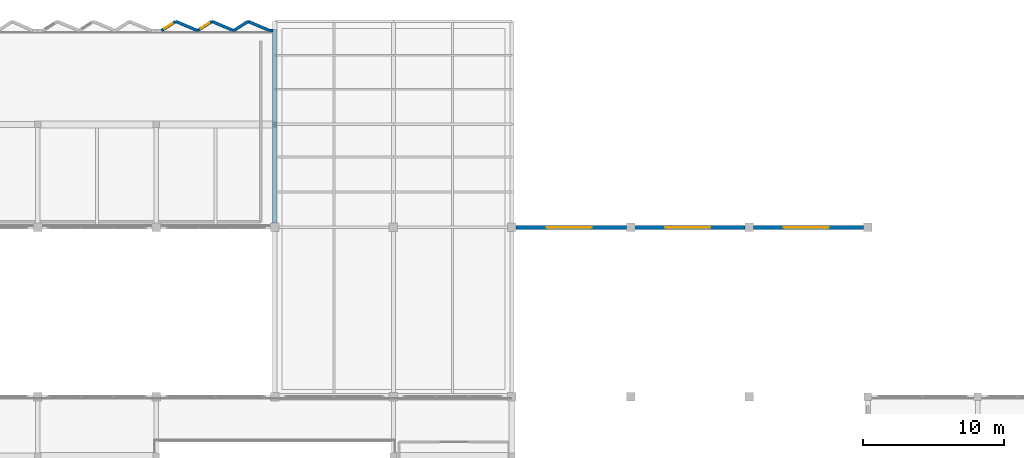
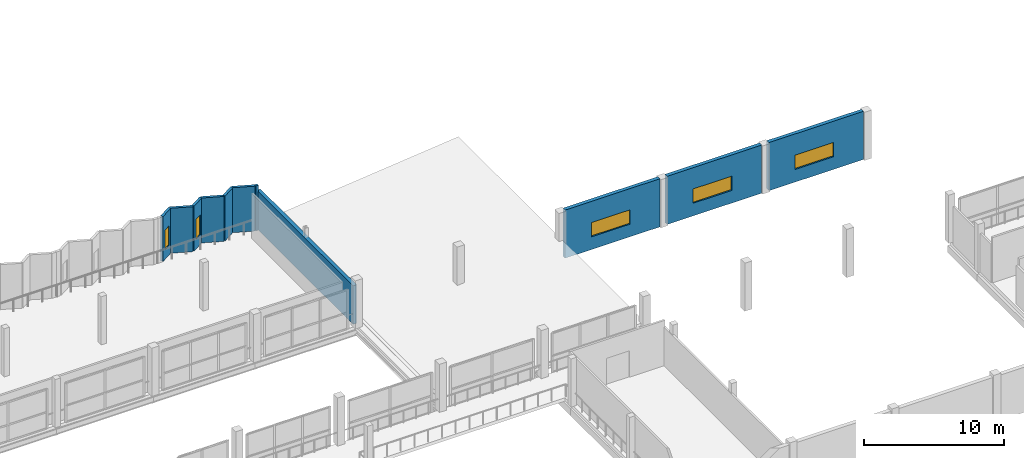
# One storey, part 43 of 53: 11 walls, 5 windows, 5 openings.
"""IFC4 building model written with IfcOpenShell, lengths in metres."""

from ifc_helpers import new_model, si_unit, direction, frame, frame_2d, origin, place, context, subcontext, project, spatial, rectangle, extrude, material, layer, layer_set, type_object, element, fill, save


model = new_model("IFC4")

# Units and contexts
model_context = context("Model", 3, precision=1e-05, world=origin(), true_north=direction((0.0, 1.0)))
body_context = subcontext(model_context, "Body", "Model", "MODEL_VIEW")
ifc_project = project(units=[si_unit("LENGTHUNIT", "METRE"), si_unit("AREAUNIT", "SQUARE_METRE"), si_unit("VOLUMEUNIT", "CUBIC_METRE"), si_unit("PLANEANGLEUNIT", "RADIAN"), si_unit("MASSUNIT", "GRAM", prefix="KILO")], contexts=[model_context])

# Site, building, storey
site_placement = place(None, origin())
site = spatial("IfcSite", under=ifc_project, at=site_placement, CompositionType="ELEMENT")
building_placement = place(site_placement, origin())
building = spatial("IfcBuilding", under=site, at=building_placement, Name="Vharandega Faculty of Natural Sciences", CompositionType="ELEMENT")
storey_placement = place(building_placement, frame((0.0, 0.0, 10.199951171875)))
storey = spatial("IfcBuildingStorey", under=building, at=storey_placement, Name="L02", CompositionType="ELEMENT", Elevation=10.199951171875)

# Wall
ifc_material_1 = material(Name="Precast concrete C40/50", Category="concrete")
ifc_layer_1 = layer(ifc_material_1, 0.2099609375, Name="Precast concrete C40/50")
ifc_layer_set_1 = layer_set([ifc_layer_1], Name="Precast concrete C40/50")
wall_type_1 = type_object("IfcWallType", Name="Commons Sawtooth Street Wall 210", PredefinedType="SOLIDWALL", material=ifc_layer_set_1)
wall_1_placement = place(storey_placement, frame((72.449951171875, 110.949951171875, 0.0), z_axis=(0.0, 0.0, 1.0), x_axis=(1.0, 0.0, 0.0)))
element("IfcWall", 1, at=wall_1_placement, inside=storey, type_object=wall_type_1, Name="Exterior Wall EW-V2SHL-L02-10R", PredefinedType="SOLIDWALL", context=body_context, shape_type="SweptSolid", body=[
    extrude(rectangle(XDim=0.205078125, YDim=0.2099609375, at=frame_2d((0.1025390625, 0.0))), origin(), (0.0, 0.0, 1.0), 3.920166015625),
])

# Wall, opening, window
wall_2_placement = place(storey_placement, frame((64.760009765625, 110.949951171875, 0.0), z_axis=(0.0, 0.0, 1.0), x_axis=(0.844199803058, 0.536028630315, 0.0)))
wall_2 = element("IfcWall", 2, at=wall_2_placement, inside=storey, type_object=wall_type_1, Name="Exterior Wall EW-V2SAW-L02-25G", PredefinedType="SOLIDWALL", context=body_context, shape_type="SweptSolid", body=[
    extrude(rectangle(XDim=1.212890625, YDim=0.2099609375, at=frame_2d((0.6064453125, 0.0))), origin(), (0.0, 0.0, 1.0), 3.920166015625),
])
opening_1_placement = place(wall_2_placement, frame((0.280029296875, 0.0, 0.85009765625)))
opening_1 = element("IfcOpeningElement", 3, at=opening_1_placement, cuts=wall_2, Name="Opening WN-07", PredefinedType="OPENING", context=body_context, shape_type="SweptSolid", body=[
    extrude(rectangle(XDim=0.64990234375, YDim=1.699951171875, at=frame_2d((0.324951171875, 0.85009765625))), frame((0.0, 0.114990234375, 0.0), z_axis=(0.0, -1.0, 0.0), x_axis=(1.0, 0.0, 0.0)), (0.0, 0.0, 1.0), 0.22998046875),
])
ifc_material_2 = material(Name="Double-glazed solar-control glass in thermally broken aluminium frame", Category="aluminium")
window_type_1 = type_object("IfcWindowType", Name="WIN-COM-065x170", PartitioningType="SINGLE_PANEL", PredefinedType="WINDOW", material=ifc_material_2)
window_1_placement = place(opening_1_placement, origin())
window_1 = element("IfcWindow", 4, at=window_1_placement, inside=storey, type_object=window_type_1, Name="Window WIN-L02-0181", OverallHeight=1.699951171875, OverallWidth=0.64990234375, PartitioningType="SINGLE_PANEL", PredefinedType="WINDOW", context=body_context, shape_type="SweptSolid", body=[
    extrude(rectangle(XDim=0.64990234375, YDim=1.699951171875, at=frame_2d((0.324951171875, 0.85009765625))), frame((0.0, 0.030029296875, 0.0), z_axis=(0.0, -1.0, 0.0), x_axis=(1.0, 0.0, 0.0)), (0.0, 0.0, 1.0), 0.06005859375),
])
fill(opening_1, window_1)

# Wall
wall_3_placement = place(storey_placement, frame((65.783935546875, 111.60009765625, 0.0), z_axis=(0.0, 0.0, 1.0), x_axis=(0.920914721045, -0.389764129393, 0.0)))
element("IfcWall", 5, at=wall_3_placement, inside=storey, type_object=wall_type_1, Name="Exterior Wall EW-V2SAW-L02-25S", PredefinedType="SOLIDWALL", context=body_context, shape_type="SweptSolid", body=[
    extrude(rectangle(XDim=1.66796875, YDim=0.2099609375, at=frame_2d((0.833984375, 0.0))), origin(), (0.0, 0.0, 1.0), 3.920166015625),
])

# Wall, opening, window
wall_4_placement = place(storey_placement, frame((67.320068359375, 110.949951171875, 0.0), z_axis=(0.0, 0.0, 1.0), x_axis=(0.844199803058, 0.536028630315, 0.0)))
wall_4 = element("IfcWall", 6, at=wall_4_placement, inside=storey, type_object=wall_type_1, Name="Exterior Wall EW-V2SAW-L02-26G", PredefinedType="SOLIDWALL", context=body_context, shape_type="SweptSolid", body=[
    extrude(rectangle(XDim=1.212890625, YDim=0.2099609375, at=frame_2d((0.6064453125, 0.0))), origin(), (0.0, 0.0, 1.0), 3.920166015625),
])
opening_2_placement = place(wall_4_placement, frame((0.280029296875, 0.0, 0.85009765625)))
opening_2 = element("IfcOpeningElement", 7, at=opening_2_placement, cuts=wall_4, Name="Opening WN-08", PredefinedType="OPENING", context=body_context, shape_type="SweptSolid", body=[
    extrude(rectangle(XDim=0.699951171875, YDim=1.75, at=frame_2d((0.35009765625, 0.875))), frame((0.0, 0.114990234375, 0.0), z_axis=(0.0, -1.0, 0.0), x_axis=(1.0, 0.0, 0.0)), (0.0, 0.0, 1.0), 0.22998046875),
])
ifc_material_3 = material(Name="Double-glazed solar-control glass in thermally broken aluminium frame", Category="aluminium")
window_type_2 = type_object("IfcWindowType", Name="WIN-COM-070x175", PartitioningType="SINGLE_PANEL", PredefinedType="WINDOW", material=ifc_material_3)
window_2_placement = place(opening_2_placement, origin())
window_2 = element("IfcWindow", 8, at=window_2_placement, inside=storey, type_object=window_type_2, Name="Window WIN-L02-0182", OverallHeight=1.75, OverallWidth=0.699951171875, PartitioningType="SINGLE_PANEL", PredefinedType="WINDOW", context=body_context, shape_type="SweptSolid", body=[
    extrude(rectangle(XDim=0.699951171875, YDim=1.75, at=frame_2d((0.35009765625, 0.875))), frame((0.0, 0.030029296875, 0.0), z_axis=(0.0, -1.0, 0.0), x_axis=(1.0, 0.0, 0.0)), (0.0, 0.0, 1.0), 0.06005859375),
])
fill(opening_2, window_2)

# Walls
wall_5_placement = place(storey_placement, frame((68.343994140625, 111.60009765625, 0.0), z_axis=(0.0, 0.0, 1.0), x_axis=(0.920892481687, -0.389816671234, 0.0)))
element("IfcWall", 9, at=wall_5_placement, inside=storey, type_object=wall_type_1, Name="Exterior Wall EW-V2SAW-L02-26S", PredefinedType="SOLIDWALL", context=body_context, shape_type="SweptSolid", body=[
    extrude(rectangle(XDim=1.667724609375, YDim=0.2099609375, at=frame_2d((0.833984375, 0.0))), origin(), (0.0, 0.0, 1.0), 3.920166015625),
])
wall_6_placement = place(storey_placement, frame((69.8798828125, 110.949951171875, 0.0), z_axis=(0.0, 0.0, 1.0), x_axis=(0.844257623592, 0.535937557003, 0.0)))
element("IfcWall", 10, at=wall_6_placement, inside=storey, type_object=wall_type_1, Name="Exterior Wall EW-V2SAW-L02-27G", PredefinedType="SOLIDWALL", context=body_context, shape_type="SweptSolid", body=[
    extrude(rectangle(XDim=1.213134765625, YDim=0.2099609375, at=frame_2d((0.6064453125, 0.0))), origin(), (0.0, 0.0, 1.0), 3.920166015625),
])
wall_7_placement = place(storey_placement, frame((70.904052734375, 111.60009765625, 0.0), z_axis=(0.0, 0.0, 1.0), x_axis=(0.920892481687, -0.389816671234, 0.0)))
element("IfcWall", 11, at=wall_7_placement, inside=storey, type_object=wall_type_1, Name="Exterior Wall EW-V2SAW-L02-27S", PredefinedType="SOLIDWALL", context=body_context, shape_type="SweptSolid", body=[
    extrude(rectangle(XDim=1.667724609375, YDim=0.2099609375, at=frame_2d((0.833984375, 0.0))), origin(), (0.0, 0.0, 1.0), 3.920166015625),
])
ifc_material_4 = material(Name="Precast concrete C40/50", Category="concrete")
ifc_layer_2 = layer(ifc_material_4, 0.300048828125, Name="Precast concrete C40/50")
ifc_layer_set_2 = layer_set([ifc_layer_2], Name="Precast concrete C40/50")
wall_type_2 = type_object("IfcWallType", Name="Polychrome Precast Facade Wall 300", PredefinedType="SOLIDWALL", material=ifc_layer_set_2)
wall_8_placement = place(storey_placement, frame((72.800048828125, 111.054931640625, 0.0), z_axis=(0.0, 0.0, 1.0), x_axis=(0.0, -1.0, 0.0)))
element("IfcWall", 12, at=wall_8_placement, inside=storey, type_object=wall_type_2, Name="Exterior Wall EW-V2E-L02", PredefinedType="SOLIDWALL", context=body_context, shape_type="SweptSolid", body=[
    extrude(rectangle(XDim=13.7568359375, YDim=0.300048828125, at=frame_2d((6.87841796875, 0.0))), origin(), (0.0, 0.0, 1.0), 3.360107421875),
])

# Wall, opening, window
wall_9_placement = place(storey_placement, frame((89.89794921875, 97.0, 0.0), z_axis=(0.0, 0.0, 1.0), x_axis=(1.0, 0.0, 0.0)))
wall_9 = element("IfcWall", 13, at=wall_9_placement, inside=storey, type_object=wall_type_2, Name="Exterior Wall EW-L02-V1N-1", PredefinedType="SOLIDWALL", context=body_context, shape_type="SweptSolid", body=[
    extrude(rectangle(XDim=7.803955078125, YDim=0.300048828125, at=frame_2d((3.90185546875, 0.0))), origin(), (0.0, 0.0, 1.0), 4.199951171875),
])
opening_3_placement = place(wall_9_placement, frame((2.152099609375, 0.0, 1.10009765625)))
opening_3 = element("IfcOpeningElement", 14, at=opening_3_placement, cuts=wall_9, Name="Opening SK-02", PredefinedType="OPENING", context=body_context, shape_type="SweptSolid", body=[
    extrude(rectangle(XDim=3.199951171875, YDim=1.25, at=frame_2d((1.60009765625, 0.625))), frame((0.0, 0.16015625, 0.0), z_axis=(0.0, -1.0, 0.0), x_axis=(1.0, 0.0, 0.0)), (0.0, 0.0, 1.0), 0.320068359375),
])
ifc_material_5 = material(Name="Double-glazed solar-control glass in thermally broken aluminium frame", Category="aluminium")
window_type_3 = type_object("IfcWindowType", Name="SKY-CLR-320x125", PartitioningType="DOUBLE_PANEL_VERTICAL", PredefinedType="SKYLIGHT", material=ifc_material_5)
window_3_placement = place(opening_3_placement, origin())
window_3 = element("IfcWindow", 15, at=window_3_placement, inside=storey, type_object=window_type_3, Name="Window WIN-L02-0201", OverallHeight=1.25, OverallWidth=3.199951171875, PartitioningType="SINGLE_PANEL", PredefinedType="SKYLIGHT", context=body_context, shape_type="SweptSolid", body=[
    extrude(rectangle(XDim=3.199951171875, YDim=1.25, at=frame_2d((1.60009765625, 0.625))), frame((0.0, 0.030029296875, 0.0), z_axis=(0.0, -1.0, 0.0), x_axis=(1.0, 0.0, 0.0)), (0.0, 0.0, 1.0), 0.06005859375),
])
fill(opening_3, window_3)

wall_10_placement = place(storey_placement, frame((98.298095703125, 97.0, 0.0), z_axis=(0.0, 0.0, 1.0), x_axis=(1.0, 0.0, 0.0)))
wall_10 = element("IfcWall", 16, at=wall_10_placement, inside=storey, type_object=wall_type_2, Name="Exterior Wall EW-L02-V1N-2", PredefinedType="SOLIDWALL", context=body_context, shape_type="SweptSolid", body=[
    extrude(rectangle(XDim=7.803955078125, YDim=0.300048828125, at=frame_2d((3.90185546875, 0.0))), origin(), (0.0, 0.0, 1.0), 4.199951171875),
])
opening_4_placement = place(wall_10_placement, frame((2.152099609375, 0.0, 1.10009765625)))
opening_4 = element("IfcOpeningElement", 17, at=opening_4_placement, cuts=wall_10, Name="Opening SK-02", PredefinedType="OPENING", context=body_context, shape_type="SweptSolid", body=[
    extrude(rectangle(XDim=3.199951171875, YDim=1.25, at=frame_2d((1.60009765625, 0.625))), frame((0.0, 0.16015625, 0.0), z_axis=(0.0, -1.0, 0.0), x_axis=(1.0, 0.0, 0.0)), (0.0, 0.0, 1.0), 0.320068359375),
])
window_4_placement = place(opening_4_placement, origin())
window_4 = element("IfcWindow", 18, at=window_4_placement, inside=storey, type_object=window_type_3, Name="Window WIN-L02-0202", OverallHeight=1.25, OverallWidth=3.199951171875, PartitioningType="SINGLE_PANEL", PredefinedType="SKYLIGHT", context=body_context, shape_type="SweptSolid", body=[
    extrude(rectangle(XDim=3.199951171875, YDim=1.25, at=frame_2d((1.60009765625, 0.625))), frame((0.0, 0.030029296875, 0.0), z_axis=(0.0, -1.0, 0.0), x_axis=(1.0, 0.0, 0.0)), (0.0, 0.0, 1.0), 0.06005859375),
])
fill(opening_4, window_4)

wall_11_placement = place(storey_placement, frame((106.697998046875, 97.0, 0.0), z_axis=(0.0, 0.0, 1.0), x_axis=(1.0, 0.0, 0.0)))
wall_11 = element("IfcWall", 19, at=wall_11_placement, inside=storey, type_object=wall_type_2, Name="Exterior Wall EW-L02-V1N-3", PredefinedType="SOLIDWALL", context=body_context, shape_type="SweptSolid", body=[
    extrude(rectangle(XDim=7.803955078125, YDim=0.300048828125, at=frame_2d((3.90185546875, 0.0))), origin(), (0.0, 0.0, 1.0), 4.199951171875),
])
opening_5_placement = place(wall_11_placement, frame((2.152099609375, 0.0, 1.10009765625)))
opening_5 = element("IfcOpeningElement", 20, at=opening_5_placement, cuts=wall_11, Name="Opening SK-02", PredefinedType="OPENING", context=body_context, shape_type="SweptSolid", body=[
    extrude(rectangle(XDim=3.199951171875, YDim=1.25, at=frame_2d((1.60009765625, 0.625))), frame((0.0, 0.16015625, 0.0), z_axis=(0.0, -1.0, 0.0), x_axis=(1.0, 0.0, 0.0)), (0.0, 0.0, 1.0), 0.320068359375),
])
window_5_placement = place(opening_5_placement, origin())
window_5 = element("IfcWindow", 21, at=window_5_placement, inside=storey, type_object=window_type_3, Name="Window WIN-L02-0203", OverallHeight=1.25, OverallWidth=3.199951171875, PartitioningType="SINGLE_PANEL", PredefinedType="SKYLIGHT", context=body_context, shape_type="SweptSolid", body=[
    extrude(rectangle(XDim=3.199951171875, YDim=1.25, at=frame_2d((1.60009765625, 0.625))), frame((0.0, 0.030029296875, 0.0), z_axis=(0.0, -1.0, 0.0), x_axis=(1.0, 0.0, 0.0)), (0.0, 0.0, 1.0), 0.06005859375),
])
fill(opening_5, window_5)

save(model, "model.ifc")
